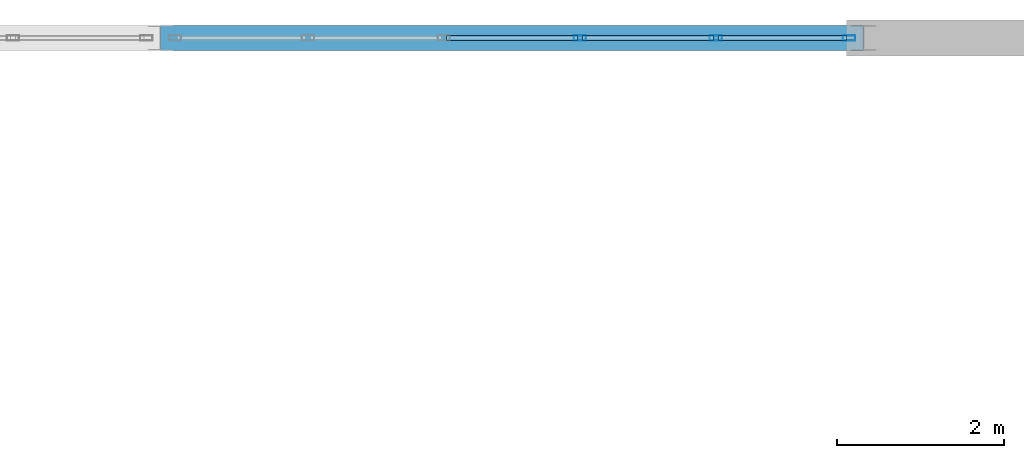
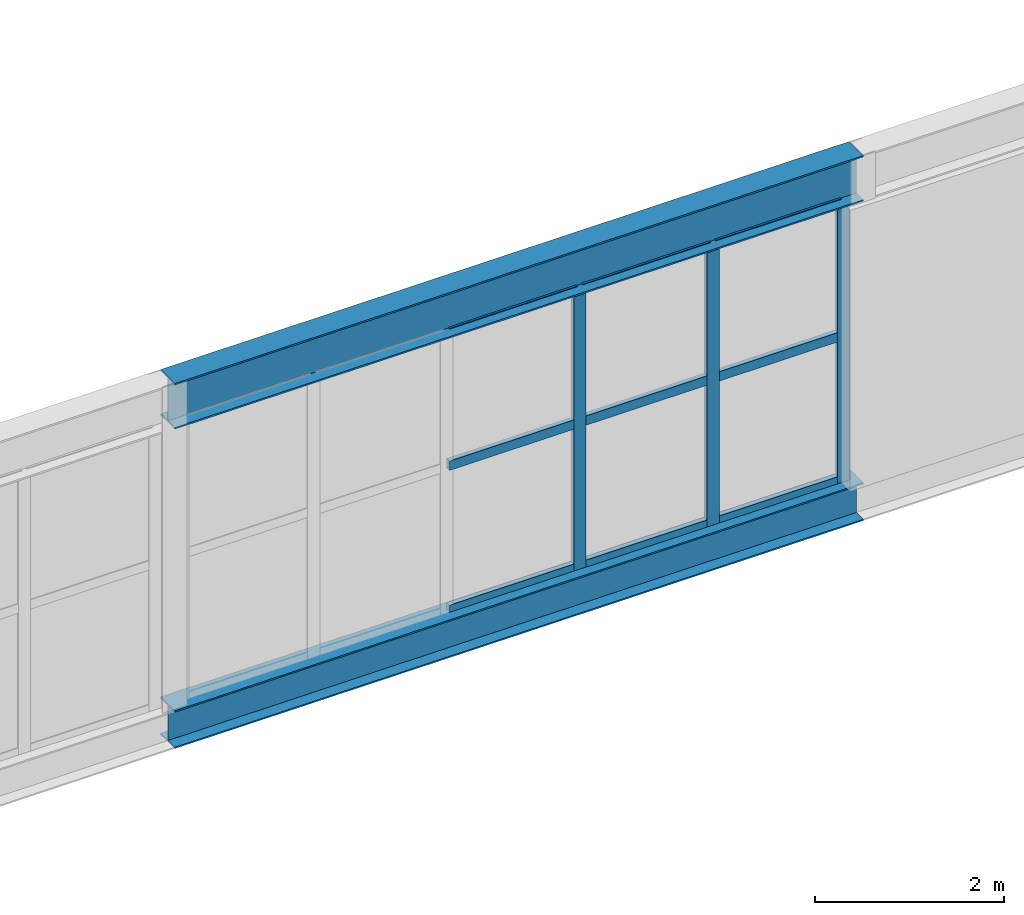
# One storey, part 175 of 218: 12 members, 2 beams, 1 element without a shape of its own.
"""IFC4 building model written with IfcOpenShell, lengths in metres."""

import ifcopenshell
import ifcopenshell.guid

model = None  # the IFC model being written
_history = None  # IfcOwnerHistory: only IFC2X3 demands one
_inside = {}  # id of a spatial element -> (the spatial element, [elements in it])
_under = {}  # id of a project, library or spatial element -> (it, [spatial elements below it])
_declared = {}  # id of a project -> (the project, [libraries it declares])
_typed = {}  # id of a type object -> (the type object, [elements of that type])
_made_of = {}  # id of a material, layer set ... -> (it, [elements and type objects made of it])


def new_model(schema):
    """Start an empty IFC model of exactly this schema.

    Asked for "IFC4X3", IfcOpenShell would pick the latest addendum, in which some entities
    have other attributes; the version numbers below select the first issue.
    IFC2X3 requires an IfcOwnerHistory on every rooted entity: one is made here for all.
    """
    global model, _history
    if schema == "IFC4X3":
        model = ifcopenshell.file(schema_version=(4, 3, 0, 0))
    else:
        model = ifcopenshell.file(schema=schema)
    _inside.clear()
    _under.clear()
    _declared.clear()
    _typed.clear()
    _made_of.clear()
    _history = None
    if model.schema == "IFC2X3":
        org = make("IfcOrganization", Name="unknown")
        user = make(
            "IfcPersonAndOrganization",
            ThePerson=make("IfcPerson", FamilyName="unknown"),
            TheOrganization=org,
        )
        app = make(
            "IfcApplication",
            ApplicationDeveloper=org,
            Version="unknown",
            ApplicationFullName="unknown",
            ApplicationIdentifier="unknown",
        )
        _history = make(
            "IfcOwnerHistory",
            OwningUser=user,
            OwningApplication=app,
            ChangeAction="ADDED",
            CreationDate=0,
        )
    return model


def make(cls, **values):
    """One entity of the class cls with the attributes given. An attribute that is None is left unset."""
    return model.create_entity(
        cls, **{name: value for name, value in values.items() if value is not None}
    )


def rooted(cls, **values):
    """An entity with a GlobalId (a new one), such as an element, a storey or a relation."""
    return make(cls, GlobalId=ifcopenshell.guid.new(), OwnerHistory=_history, **values)


def si_unit(unit_type, name, prefix=None):
    """IfcSIUnit, for example si_unit("LENGTHUNIT", "METRE", prefix="MILLI")."""
    return make("IfcSIUnit", UnitType=unit_type, Prefix=prefix, Name=name)


def assignment(units):
    """IfcUnitAssignment: the units of a project."""
    return None if units is None else make("IfcUnitAssignment", Units=units)


def point(xyz):
    """IfcCartesianPoint."""
    return None if xyz is None else make("IfcCartesianPoint", Coordinates=xyz)


def direction(xyz):
    """IfcDirection."""
    return None if xyz is None else make("IfcDirection", DirectionRatios=xyz)


def frame(location, z_axis=None, x_axis=None):
    """IfcAxis2Placement3D, a coordinate frame: its origin and axes. An axis left out is left unset."""
    return make(
        "IfcAxis2Placement3D",
        Location=point(location),
        Axis=direction(z_axis),
        RefDirection=direction(x_axis),
    )


def frame_2d(location, x_axis=None):
    """IfcAxis2Placement2D, a coordinate frame in the plane: its origin and x axis."""
    return make(
        "IfcAxis2Placement2D", Location=point(location), RefDirection=direction(x_axis)
    )


def origin():
    """The frame at (0, 0, 0) with its axes left unset."""
    return frame((0.0, 0.0, 0.0))


def origin_2d():
    """The frame at (0, 0) in the plane with its x axis left unset."""
    return frame_2d((0.0, 0.0))


def place(relative_to, where):
    """IfcLocalPlacement: puts the frame where relative to a parent placement (None: the world)."""
    return make(
        "IfcLocalPlacement", PlacementRelTo=relative_to, RelativePlacement=where
    )


def context(
    kind, dimensions, precision=None, world=None, true_north=None, identifier=None
):
    """IfcGeometricRepresentationContext, for example the 3D "Model" context."""
    return make(
        "IfcGeometricRepresentationContext",
        ContextIdentifier=identifier,
        ContextType=kind,
        CoordinateSpaceDimension=dimensions,
        Precision=precision,
        WorldCoordinateSystem=world,
        TrueNorth=true_north,
    )


def subcontext(parent, identifier, kind, view, scale=None):
    """IfcGeometricRepresentationSubContext, for example "Body" below "Model"."""
    return make(
        "IfcGeometricRepresentationSubContext",
        ContextIdentifier=identifier,
        ContextType=kind,
        ParentContext=parent,
        TargetScale=scale,
        TargetView=view,
    )


def project(units=None, contexts=None):
    """IfcProject with its units and contexts."""
    return rooted(
        "IfcProject",
        Name="project",
        RepresentationContexts=contexts,
        UnitsInContext=assignment(units),
    )


def spatial(cls, under=None, at=None, **own):
    """A site, building, storey or space (cls), placed at a placement, below another one or the project."""
    s = rooted(cls, ObjectPlacement=at, **own)
    if under is not None:
        _under.setdefault(under.id(), (under, []))[1].append(s)
    return s


def profile(cls, at=None, kind="AREA", **sizes):
    """A parametric profile (cls). Its sizes go by their IFC names, for example OverallWidth=200.0."""
    return make(cls, ProfileType=kind, Position=at, **sizes)


def hollow_rectangle(**sizes):
    """IfcRectangleHollowProfileDef."""
    return profile("IfcRectangleHollowProfileDef", **sizes)


def i_section(**sizes):
    """IfcIShapeProfileDef."""
    return profile("IfcIShapeProfileDef", **sizes)


def extrude(swept, where, along, depth):
    """IfcExtrudedAreaSolid: the profile swept, set in the frame where, extruded along a direction by depth."""
    return make(
        "IfcExtrudedAreaSolid",
        SweptArea=swept,
        Position=where,
        ExtrudedDirection=direction(along),
        Depth=depth,
    )


def shape(context_of_items, identifier, shape_type, items):
    """IfcShapeRepresentation: the items that make up one representation, for example the "Body"."""
    return make(
        "IfcShapeRepresentation",
        ContextOfItems=context_of_items,
        RepresentationIdentifier=identifier,
        RepresentationType=shape_type,
        Items=items,
    )


def material(Name=None, Category=None):
    """IfcMaterial."""
    return make("IfcMaterial", Name=Name, Category=Category)


def material_profile(
    of_material, cross_section, Name=None, Category=None, Priority=None
):
    """IfcMaterialProfile: a cross section and its material."""
    return make(
        "IfcMaterialProfile",
        Name=Name,
        Material=of_material,
        Profile=cross_section,
        Priority=Priority,
        Category=Category,
    )


def profile_set(profiles, Name=None, composite=None):
    """IfcMaterialProfileSet."""
    return make(
        "IfcMaterialProfileSet",
        Name=Name,
        MaterialProfiles=profiles,
        CompositeProfile=composite,
    )


def made_of(thing, what):
    """Note that an element or type object is made of a material, layer set ...; save() writes the relation."""
    if what is not None:
        _made_of.setdefault(what.id(), (what, []))[1].append(thing)
    return thing


def type_object(cls, material=None, **own):
    """A type object (cls), such as IfcWallType, which elements share."""
    return made_of(rooted(cls, **own), material)


def element(
    cls,
    number,
    at=None,
    inside=None,
    cuts=None,
    type_object=None,
    material=None,
    context=None,
    identifier="Body",
    shape_type=None,
    held_by="IfcProductDefinitionShape",
    body=None,
    shapes=None,
    **own,
):
    """One element of the class cls, such as IfcWall. Its Tag is "e" and its number.

    at: its placement. inside: the storey or other place that contains it. cuts: it is an
    opening in that element (IfcRelVoidsElement). A single representation is given by context,
    identifier, shape_type and body (its items); several are given by shapes. held_by: the class
    of the entity that holds the representations. save() writes the other relations.
    """
    e = rooted(cls, Tag="e%d" % number, ObjectPlacement=at, **own)
    if body is not None:
        shapes = [shape(context, identifier, shape_type, body)]
    if shapes is not None:
        e.Representation = make(held_by, Representations=shapes)
    if inside is not None:
        _inside.setdefault(inside.id(), (inside, []))[1].append(e)
    if cuts is not None:
        rooted(
            "IfcRelVoidsElement", RelatingBuildingElement=cuts, RelatedOpeningElement=e
        )
    if type_object is not None:
        _typed.setdefault(type_object.id(), (type_object, []))[1].append(e)
    return made_of(e, material)


def aggregate(whole, parts):
    """IfcRelAggregates: a whole, such as a stair, and the parts it consists of."""
    return rooted("IfcRelAggregates", RelatingObject=whole, RelatedObjects=parts)


def save(model, path):
    """Write the relations noted so far, then the file.

    IfcRelAggregates (storeys below a building ...), IfcRelContainedInSpatialStructure (elements
    in a storey), IfcRelDefinesByType, IfcRelAssociatesMaterial and IfcRelDeclares: one each for
    every whole, place, type object, material and project.
    """
    for whole, parts in _under.values():
        aggregate(whole, parts)
    for where, things in _inside.values():
        rooted(
            "IfcRelContainedInSpatialStructure",
            RelatedElements=things,
            RelatingStructure=where,
        )
    for kind, things in _typed.values():
        rooted("IfcRelDefinesByType", RelatedObjects=things, RelatingType=kind)
    for what, things in _made_of.values():
        rooted("IfcRelAssociatesMaterial", RelatedObjects=things, RelatingMaterial=what)
    for by, libraries in _declared.values():
        rooted("IfcRelDeclares", RelatingContext=by, RelatedDefinitions=libraries)
    model.write(path)


model = new_model("IFC4")

# Units and contexts
model_context = context("Model", 3, precision=1e-05, world=origin(), true_north=direction((0.0, 1.0)))
body_context = subcontext(model_context, "Body", "Model", "MODEL_VIEW")
ifc_project = project(units=[si_unit("LENGTHUNIT", "METRE"), si_unit("AREAUNIT", "SQUARE_METRE"), si_unit("VOLUMEUNIT", "CUBIC_METRE"), si_unit("PLANEANGLEUNIT", "RADIAN"), si_unit("MASSUNIT", "GRAM", prefix="KILO")], contexts=[model_context])

# Site, building, storey
site_placement = place(None, origin())
site = spatial("IfcSite", under=ifc_project, at=site_placement, CompositionType="ELEMENT")
building_placement = place(site_placement, origin())
building = spatial("IfcBuilding", under=site, at=building_placement, Name="Kazenagashi Tramway Depot", CompositionType="ELEMENT")
storey_placement = place(building_placement, frame((0.0, 0.0, 6.0)))
storey = spatial("IfcBuildingStorey", under=building, at=storey_placement, Name="L02", CompositionType="ELEMENT", Elevation=6.0)

# Curtain wall, members
ifc_material_1 = material(Name="Anodised Aluminium and Low-E Glazing", Category="aluminium")
curtain_wall_type = type_object("IfcCurtainWallType", Name="CW-15", PredefinedType="USERDEFINED", material=ifc_material_1)
curtain_wall_placement = place(storey_placement, origin())
curtain_wall = element("IfcCurtainWall", 1, at=curtain_wall_placement, inside=storey, type_object=curtain_wall_type, Name="Industrial Glazed Screen CW-15 CW-0093", ObjectType="GLAZED SCREEN", PredefinedType="USERDEFINED")
ifc_material_2 = material(Name="Anodised Aluminium", Category="aluminium")
ifc_material_profile_1 = material_profile(ifc_material_2, hollow_rectangle(XDim=0.06, YDim=0.15, WallThickness=0.004, at=origin_2d()), Name="RHS-150x60x4")
ifc_profile_set_1 = profile_set([ifc_material_profile_1], Name="Anodised Aluminium")
member_type_1 = type_object("IfcMemberType", Name="ML-01", PredefinedType="MULLION", material=ifc_profile_set_1)
member_1_placement = place(storey_placement, frame((175.812, 130.0, -0.02), z_axis=(0.0, 0.0, 1.0), x_axis=(0.0, 1.0, 0.0)))
member_1 = element("IfcMember", 2, at=member_1_placement, type_object=member_type_1, Name="CW-15 mullion 4", PredefinedType="MULLION", context=body_context, shape_type="SweptSolid", body=[
    extrude(hollow_rectangle(XDim=0.06, YDim=0.15, WallThickness=0.004, at=origin_2d()), origin(), (0.0, 0.0, 1.0), 3.632),
])
member_2_placement = place(storey_placement, frame((177.436, 130.0, -0.02), z_axis=(0.0, 0.0, 1.0), x_axis=(0.0, 1.0, 0.0)))
member_2 = element("IfcMember", 3, at=member_2_placement, type_object=member_type_1, Name="CW-15 mullion 5", PredefinedType="MULLION", context=body_context, shape_type="SweptSolid", body=[
    extrude(hollow_rectangle(XDim=0.06, YDim=0.15, WallThickness=0.004, at=origin_2d()), origin(), (0.0, 0.0, 1.0), 3.632),
])
member_3_placement = place(storey_placement, frame((179.03, 130.0, -0.02), z_axis=(0.0, 0.0, 1.0), x_axis=(0.0, 1.0, 0.0)))
member_3 = element("IfcMember", 4, at=member_3_placement, type_object=member_type_1, Name="CW-15 mullion 6", PredefinedType="MULLION", context=body_context, shape_type="SweptSolid", body=[
    extrude(hollow_rectangle(XDim=0.06, YDim=0.15, WallThickness=0.004, at=origin_2d()), origin(), (0.0, 0.0, 1.0), 3.632),
])

# Beams
ifc_material_3 = material(Name="Steel SN490B", Category="steel")
ifc_material_profile_2 = material_profile(ifc_material_3, i_section(OverallWidth=0.3, OverallDepth=0.588, WebThickness=0.012, FlangeThickness=0.02, at=origin_2d()), Name="H-588x300x12x20")
ifc_profile_set_2 = profile_set([ifc_material_profile_2], Name="Steel SN490B")
beam_type_1 = type_object("IfcBeamType", Name="SP-01", PredefinedType="SPANDREL", material=ifc_profile_set_2)
beam_1_placement = place(storey_placement, frame((170.8, 130.0, 3.906), z_axis=(1.0, 0.0, 0.0), x_axis=(0.0, 1.0, 0.0)))
element("IfcBeam", 5, at=beam_1_placement, inside=storey, type_object=beam_type_1, Name="Beam SP-01 BM-1895", PredefinedType="SPANDREL", context=body_context, shape_type="SweptSolid", body=[
    extrude(i_section(OverallWidth=0.3, OverallDepth=0.588, WebThickness=0.012, FlangeThickness=0.02, at=origin_2d()), origin(), (0.0, 0.0, 1.0), 8.4),
])
ifc_material_profile_3 = material_profile(ifc_material_3, i_section(OverallWidth=0.3, OverallDepth=0.488, WebThickness=0.011, FlangeThickness=0.018, at=origin_2d()), Name="H-488x300x11x18")
ifc_profile_set_3 = profile_set([ifc_material_profile_3], Name="Steel SN490B")
beam_type_2 = type_object("IfcBeamType", Name="SP-02", PredefinedType="SPANDREL", material=ifc_profile_set_3)
beam_2_placement = place(storey_placement, frame((170.8, 130.0, -0.264), z_axis=(1.0, 0.0, 0.0), x_axis=(0.0, 1.0, 0.0)))
element("IfcBeam", 6, at=beam_2_placement, inside=storey, type_object=beam_type_2, Name="Beam SP-02 BM-1839", PredefinedType="SPANDREL", context=body_context, shape_type="SweptSolid", body=[
    extrude(i_section(OverallWidth=0.3, OverallDepth=0.488, WebThickness=0.011, FlangeThickness=0.018, at=origin_2d()), origin(), (0.0, 0.0, 1.0), 8.4),
])

# Member
ifc_material_profile_4 = material_profile(ifc_material_2, hollow_rectangle(XDim=0.06, YDim=0.12, WallThickness=0.004, at=origin_2d()), Name="RHS-120x60x4")
ifc_profile_set_4 = profile_set([ifc_material_profile_4], Name="Anodised Aluminium")
member_type_2 = type_object("IfcMemberType", Name="TR-01", PredefinedType="USERDEFINED", material=ifc_profile_set_4)
member_4_placement = place(storey_placement, frame((174.218, 130.0, 0.01), z_axis=(1.0, 0.0, 0.0), x_axis=(0.0, 1.0, 0.0)))
member_4 = element("IfcMember", 7, at=member_4_placement, type_object=member_type_2, Name="CW-15 transom 3.1", ObjectType="TRANSOM", PredefinedType="USERDEFINED", context=body_context, shape_type="SweptSolid", body=[
    extrude(hollow_rectangle(XDim=0.06, YDim=0.12, WallThickness=0.004, at=origin_2d()), origin(), (0.0, 0.0, 1.0), 1.564),
])

member_5_placement = place(storey_placement, frame((174.218, 130.0, 1.869), z_axis=(1.0, 0.0, 0.0), x_axis=(0.0, 1.0, 0.0)))
member_5 = element("IfcMember", 8, at=member_5_placement, type_object=member_type_2, Name="CW-15 transom 3.2", ObjectType="TRANSOM", PredefinedType="USERDEFINED", context=body_context, shape_type="SweptSolid", body=[
    extrude(hollow_rectangle(XDim=0.06, YDim=0.12, WallThickness=0.004, at=origin_2d()), origin(), (0.0, 0.0, 1.0), 1.564),
])

member_6_placement = place(storey_placement, frame((174.218, 130.0, 3.582), z_axis=(1.0, 0.0, 0.0), x_axis=(0.0, 1.0, 0.0)))
member_6 = element("IfcMember", 9, at=member_6_placement, type_object=member_type_2, Name="CW-15 transom 3.3", ObjectType="TRANSOM", PredefinedType="USERDEFINED", context=body_context, shape_type="SweptSolid", body=[
    extrude(hollow_rectangle(XDim=0.06, YDim=0.12, WallThickness=0.004, at=origin_2d()), origin(), (0.0, 0.0, 1.0), 1.564),
])

member_7_placement = place(storey_placement, frame((175.842, 130.0, 0.01), z_axis=(1.0, 0.0, 0.0), x_axis=(0.0, 1.0, 0.0)))
member_7 = element("IfcMember", 10, at=member_7_placement, type_object=member_type_2, Name="CW-15 transom 4.1", ObjectType="TRANSOM", PredefinedType="USERDEFINED", context=body_context, shape_type="SweptSolid", body=[
    extrude(hollow_rectangle(XDim=0.06, YDim=0.12, WallThickness=0.004, at=origin_2d()), origin(), (0.0, 0.0, 1.0), 1.564),
])

member_8_placement = place(storey_placement, frame((175.842, 130.0, 1.869), z_axis=(1.0, 0.0, 0.0), x_axis=(0.0, 1.0, 0.0)))
member_8 = element("IfcMember", 11, at=member_8_placement, type_object=member_type_2, Name="CW-15 transom 4.2", ObjectType="TRANSOM", PredefinedType="USERDEFINED", context=body_context, shape_type="SweptSolid", body=[
    extrude(hollow_rectangle(XDim=0.06, YDim=0.12, WallThickness=0.004, at=origin_2d()), origin(), (0.0, 0.0, 1.0), 1.564),
])

member_9_placement = place(storey_placement, frame((175.842, 130.0, 3.582), z_axis=(1.0, 0.0, 0.0), x_axis=(0.0, 1.0, 0.0)))
member_9 = element("IfcMember", 12, at=member_9_placement, type_object=member_type_2, Name="CW-15 transom 4.3", ObjectType="TRANSOM", PredefinedType="USERDEFINED", context=body_context, shape_type="SweptSolid", body=[
    extrude(hollow_rectangle(XDim=0.06, YDim=0.12, WallThickness=0.004, at=origin_2d()), origin(), (0.0, 0.0, 1.0), 1.564),
])

member_10_placement = place(storey_placement, frame((177.466, 130.0, 0.01), z_axis=(1.0, 0.0, 0.0), x_axis=(0.0, 1.0, 0.0)))
member_10 = element("IfcMember", 13, at=member_10_placement, type_object=member_type_2, Name="CW-15 transom 5.1", ObjectType="TRANSOM", PredefinedType="USERDEFINED", context=body_context, shape_type="SweptSolid", body=[
    extrude(hollow_rectangle(XDim=0.06, YDim=0.12, WallThickness=0.004, at=origin_2d()), origin(), (0.0, 0.0, 1.0), 1.534),
])

member_11_placement = place(storey_placement, frame((177.466, 130.0, 1.869), z_axis=(1.0, 0.0, 0.0), x_axis=(0.0, 1.0, 0.0)))
member_11 = element("IfcMember", 14, at=member_11_placement, type_object=member_type_2, Name="CW-15 transom 5.2", ObjectType="TRANSOM", PredefinedType="USERDEFINED", context=body_context, shape_type="SweptSolid", body=[
    extrude(hollow_rectangle(XDim=0.06, YDim=0.12, WallThickness=0.004, at=origin_2d()), origin(), (0.0, 0.0, 1.0), 1.534),
])

member_12_placement = place(storey_placement, frame((177.466, 130.0, 3.582), z_axis=(1.0, 0.0, 0.0), x_axis=(0.0, 1.0, 0.0)))
member_12 = element("IfcMember", 15, at=member_12_placement, type_object=member_type_2, Name="CW-15 transom 5.3", ObjectType="TRANSOM", PredefinedType="USERDEFINED", context=body_context, shape_type="SweptSolid", body=[
    extrude(hollow_rectangle(XDim=0.06, YDim=0.12, WallThickness=0.004, at=origin_2d()), origin(), (0.0, 0.0, 1.0), 1.534),
])

aggregate(curtain_wall, [member_1, member_2, member_3, member_4, member_5, member_6, member_7, member_8, member_9, member_10, member_11, member_12])

save(model, "model.ifc")
